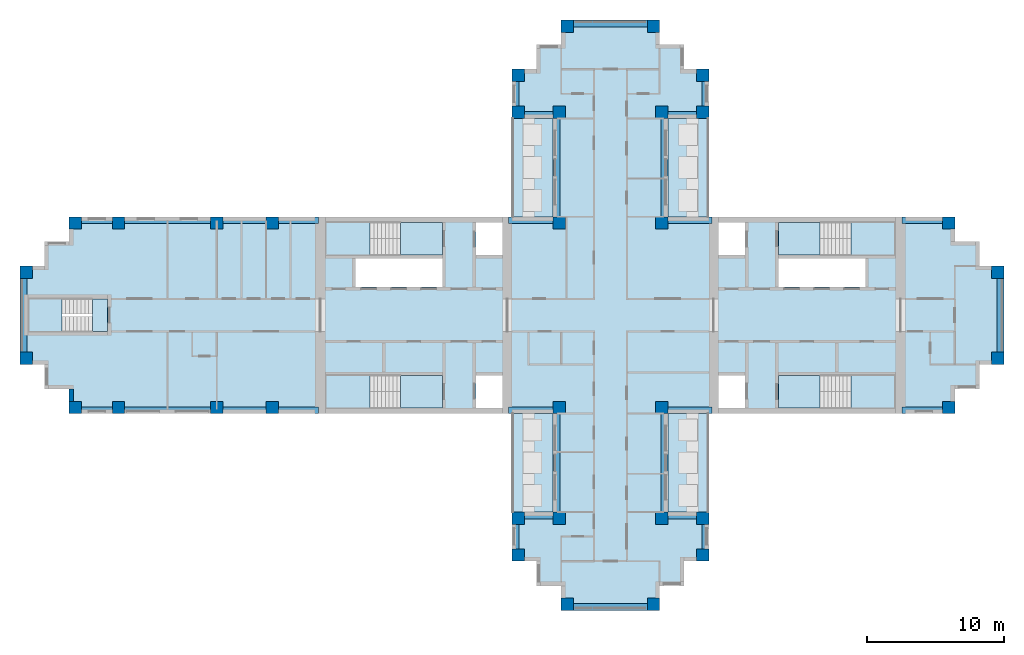
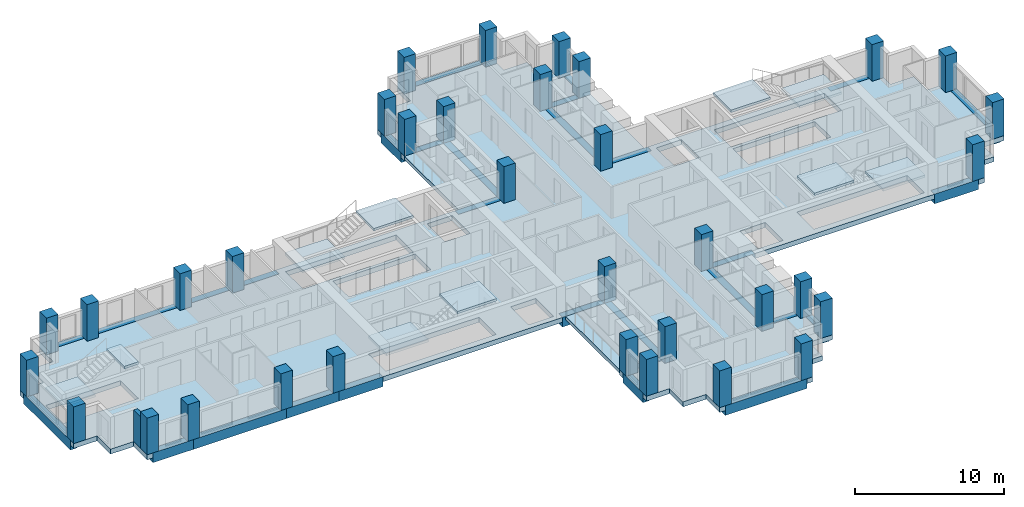
# One storey, part 1 of 11: 34 columns, 30 beams, 15 slabs, 1 wall, 5 elements without a shape of their own.
"""IFC4 building model written with IfcOpenShell, lengths in metres."""

from ifc_helpers import new_model, si_unit, direction, frame, frame_2d, origin, origin_2d, place, context, subcontext, project, spatial, polyline, rectangle, outline, extrude, material, layer, layer_set, material_profile, profile_set, type_object, element, aggregate, save


model = new_model("IFC4")

# Units and contexts
model_context = context("Model", 3, precision=1e-05, world=origin(), true_north=direction((0.0, 1.0)))
body_context = subcontext(model_context, "Body", "Model", "MODEL_VIEW")
ifc_project = project(units=[si_unit("LENGTHUNIT", "METRE"), si_unit("AREAUNIT", "SQUARE_METRE"), si_unit("VOLUMEUNIT", "CUBIC_METRE"), si_unit("PLANEANGLEUNIT", "RADIAN"), si_unit("MASSUNIT", "GRAM", prefix="KILO")], contexts=[model_context])

# Site, building, storey
site_placement = place(None, origin())
site = spatial("IfcSite", under=ifc_project, at=site_placement, CompositionType="ELEMENT")
building_placement = place(site_placement, origin())
building = spatial("IfcBuilding", under=site, at=building_placement, Name="Fustian Cross Tower", CompositionType="ELEMENT")
storey_placement = place(building_placement, frame((0.0, 0.0, 176.699951171875)))
storey = spatial("IfcBuildingStorey", under=building, at=storey_placement, Name="L55", CompositionType="ELEMENT", Elevation=176.699951171875)

# Columns
ifc_material_1 = material(Name="Concrete C40/50", Category="concrete")
ifc_material_profile_1 = material_profile(ifc_material_1, rectangle(XDim=0.89990234375, YDim=0.89990234375, at=origin_2d()), Name="RC 900x900")
ifc_profile_set_1 = profile_set([ifc_material_profile_1], Name="Concrete C40/50")
column_type = type_object("IfcColumnType", Name="COLUMN RC 900x900 C40/50", PredefinedType="COLUMN", material=ifc_profile_set_1)
for number, where, z_axis, x_axis, name in (
    (1, (-42.75, -3.14990234375, 0.0), (0.0, 0.0, 1.0), (1.0, 0.0, 0.0), "COLUMN 001"),
    (2, (-42.75, 3.14990234375, 0.0), (0.0, 0.0, 1.0), (1.0, 0.0, 0.0), "COLUMN 002"),
    (3, (-39.14990234375, -6.75, 0.0), (0.0, 0.0, 1.0), (1.0, 0.0, 0.0), "COLUMN 003"),
    (4, (-39.14990234375, 6.75, 0.0), (0.0, 0.0, 1.0), (1.0, 0.0, 0.0), "COLUMN 004"),
    (5, (-36.0, -6.75, 0.0), (0.0, 0.0, 1.0), (1.0, 0.0, 0.0), "COLUMN 005"),
    (6, (-36.0, 6.75, 0.0), (0.0, 0.0, 1.0), (1.0, 0.0, 0.0), "COLUMN 006"),
    (7, (-28.800048828125, -6.75, 0.0), (0.0, 0.0, 1.0), (1.0, 0.0, 0.0), "COLUMN 007"),
    (8, (-28.800048828125, 6.75, 0.0), (0.0, 0.0, 1.0), (1.0, 0.0, 0.0), "COLUMN 010"),
    (9, (-24.75, -6.75, 0.0), (0.0, 0.0, 1.0), (1.0, 0.0, 0.0), "COLUMN 011"),
    (10, (-24.75, 6.75, 0.0), (0.0, 0.0, 1.0), (1.0, 0.0, 0.0), "COLUMN 012"),
    (11, (-6.75, -17.550048828125, 0.0), (0.0, 0.0, 1.0), (1.0, 0.0, 0.0), "COLUMN 017"),
    (12, (-6.75, -14.85009765625, 0.0), (0.0, 0.0, 1.0), (1.0, 0.0, 0.0), "COLUMN 018"),
    (13, (-6.75, 14.85009765625, 0.0), (0.0, 0.0, 1.0), (1.0, 0.0, 0.0), "COLUMN 019"),
    (14, (-6.75, 17.550048828125, 0.0), (0.0, 0.0, 1.0), (1.0, 0.0, 0.0), "COLUMN 020"),
    (15, (-3.75, -14.85009765625, 0.0), (0.0, 0.0, 1.0), (1.0, 0.0, 0.0), "COLUMN 025"),
    (16, (-3.75, -6.75, 0.0), (0.0, 0.0, 1.0), (1.0, 0.0, 0.0), "COLUMN 026"),
    (17, (-3.75, 6.75, 0.0), (0.0, 0.0, 1.0), (1.0, 0.0, 0.0), "COLUMN 027"),
    (18, (-3.75, 14.85009765625, 0.0), (0.0, 0.0, 1.0), (1.0, 0.0, 0.0), "COLUMN 028"),
    (19, (-3.14990234375, -21.14990234375, 0.0), (0.0, 0.0, 1.0), (1.0, 0.0, 0.0), "COLUMN 030"),
    (20, (-3.14990234375, 21.14990234375, 0.0), (0.0, 0.0, 1.0), (1.0, 0.0, 0.0), "COLUMN 031"),
    (21, (3.14990234375, -21.14990234375, 0.0), (0.0, 0.0, 1.0), (1.0, 0.0, 0.0), "COLUMN 034"),
    (22, (3.14990234375, 21.14990234375, 0.0), (0.0, 0.0, 1.0), (1.0, 0.0, 0.0), "COLUMN 035"),
    (23, (3.75, -14.85009765625, 0.0), (0.0, 0.0, 1.0), (1.0, 0.0, 0.0), "COLUMN 037"),
    (24, (3.75, -6.75, 0.0), (0.0, 0.0, 1.0), (1.0, 0.0, 0.0), "COLUMN 038"),
    (25, (3.75, 6.75, 0.0), (0.0, 0.0, 1.0), (1.0, 0.0, 0.0), "COLUMN 039"),
    (26, (3.75, 14.85009765625, 0.0), (0.0, 0.0, 1.0), (1.0, 0.0, 0.0), "COLUMN 040"),
    (27, (6.75, -17.550048828125, 0.0), (0.0, 0.0, 1.0), (1.0, 0.0, 0.0), "COLUMN 045"),
    (28, (6.75, -14.85009765625, 0.0), (0.0, 0.0, 1.0), (1.0, 0.0, 0.0), "COLUMN 046"),
    (29, (6.75, 14.85009765625, 0.0), (0.0, 0.0, 1.0), (1.0, 0.0, 0.0), "COLUMN 047"),
    (30, (6.75, 17.550048828125, 0.0), (0.0, 0.0, 1.0), (1.0, 0.0, 0.0), "COLUMN 048"),
    (31, (24.75, -6.75, 0.0), (0.0, 0.0, 1.0), (1.0, 0.0, 0.0), "COLUMN 053"),
    (32, (24.75, 6.75, 0.0), (0.0, 0.0, 1.0), (1.0, 0.0, 0.0), "COLUMN 054"),
    (33, (28.35009765625, -3.14990234375, 0.0), (0.0, 0.0, 1.0), (1.0, 0.0, 0.0), "COLUMN 056"),
    (34, (28.35009765625, 3.14990234375, 0.0), (0.0, 0.0, 1.0), (1.0, 0.0, 0.0), "COLUMN 057"),
):
    element("IfcColumn", number, at=place(storey_placement, frame(where, z_axis=z_axis, x_axis=x_axis)), inside=storey, type_object=column_type, Name=name, PredefinedType="COLUMN", context=body_context, shape_type="SweptSolid", body=[
        extrude(rectangle(XDim=0.89990234375, YDim=0.89990234375, at=origin_2d()), origin(), (0.0, 0.0, 1.0), 3.0),
    ])

# Beams
ifc_material_2 = material(Name="Concrete C50/60", Category="concrete")
ifc_material_profile_2 = material_profile(ifc_material_2, rectangle(XDim=0.5, YDim=0.800048828125, at=origin_2d()), Name="RC 500x800")
ifc_profile_set_2 = profile_set([ifc_material_profile_2], Name="Concrete C50/60")
beam_type = type_object("IfcBeamType", Name="EDGE BEAM RC 500x800 C50/60", PredefinedType="SPANDREL", material=ifc_profile_set_2)
beam_1_placement = place(storey_placement, frame((21.35009765625, -6.949951171875, -0.39990234375), z_axis=(1.0, 0.0, 0.0), x_axis=(0.0, 1.0, 0.0)))
element("IfcBeam", 35, at=beam_1_placement, inside=storey, type_object=beam_type, Name="EDGE BEAM L55-01", PredefinedType="SPANDREL", context=body_context, shape_type="SweptSolid", body=[
    extrude(rectangle(XDim=0.5, YDim=0.800048828125, at=origin_2d()), origin(), (0.0, 0.0, 1.0), 3.39990234375),
])
beam_2_placement = place(storey_placement, frame((28.550048828125, -3.14990234375, -0.39990234375), z_axis=(0.0, 1.0, 0.0), x_axis=(-1.0, 0.0, 0.0)))
element("IfcBeam", 36, at=beam_2_placement, inside=storey, type_object=beam_type, Name="EDGE BEAM L55-02", PredefinedType="SPANDREL", context=body_context, shape_type="SweptSolid", body=[
    extrude(rectangle(XDim=0.5, YDim=0.800048828125, at=origin_2d()), origin(), (0.0, 0.0, 1.0), 6.2998046875),
])
beam_3_placement = place(storey_placement, frame((24.75, 6.949951171875, -0.39990234375), z_axis=(-1.0, 0.0, 0.0), x_axis=(0.0, -1.0, 0.0)))
element("IfcBeam", 37, at=beam_3_placement, inside=storey, type_object=beam_type, Name="EDGE BEAM L55-03", PredefinedType="SPANDREL", context=body_context, shape_type="SweptSolid", body=[
    extrude(rectangle(XDim=0.5, YDim=0.800048828125, at=origin_2d()), origin(), (0.0, 0.0, 1.0), 3.39990234375),
])
beam_4_placement = place(storey_placement, frame((7.449951171875, 6.949951171875, -0.39990234375), z_axis=(-1.0, 0.0, 0.0), x_axis=(0.0, -1.0, 0.0)))
element("IfcBeam", 38, at=beam_4_placement, inside=storey, type_object=beam_type, Name="EDGE BEAM L55-04", PredefinedType="SPANDREL", context=body_context, shape_type="SweptSolid", body=[
    extrude(rectangle(XDim=0.5, YDim=0.800048828125, at=origin_2d()), origin(), (0.0, 0.0, 1.0), 3.699951171875),
])
beam_5_placement = place(storey_placement, frame((3.949951171875, 6.75, -0.39990234375), z_axis=(0.0, 1.0, 0.0), x_axis=(-1.0, 0.0, 0.0)))
element("IfcBeam", 39, at=beam_5_placement, inside=storey, type_object=beam_type, Name="EDGE BEAM L55-05", PredefinedType="SPANDREL", context=body_context, shape_type="SweptSolid", body=[
    extrude(rectangle(XDim=0.5, YDim=0.800048828125, at=origin_2d()), origin(), (0.0, 0.0, 1.0), 8.10009765625),
])
beam_6_placement = place(storey_placement, frame((3.75, 14.64990234375, -0.39990234375), z_axis=(1.0, 0.0, 0.0), x_axis=(0.0, 1.0, 0.0)))
element("IfcBeam", 40, at=beam_6_placement, inside=storey, type_object=beam_type, Name="EDGE BEAM L55-06", PredefinedType="SPANDREL", context=body_context, shape_type="SweptSolid", body=[
    extrude(rectangle(XDim=0.5, YDim=0.800048828125, at=origin_2d()), origin(), (0.0, 0.0, 1.0), 3.0),
])
beam_7_placement = place(storey_placement, frame((6.949951171875, 14.85009765625, -0.39990234375), z_axis=(0.0, 1.0, 0.0), x_axis=(-1.0, 0.0, 0.0)))
element("IfcBeam", 41, at=beam_7_placement, inside=storey, type_object=beam_type, Name="EDGE BEAM L55-07", PredefinedType="SPANDREL", context=body_context, shape_type="SweptSolid", body=[
    extrude(rectangle(XDim=0.5, YDim=0.800048828125, at=origin_2d()), origin(), (0.0, 0.0, 1.0), 2.699951171875),
])
beam_8_placement = place(storey_placement, frame((3.14990234375, 21.35009765625, -0.39990234375), z_axis=(-1.0, 0.0, 0.0), x_axis=(0.0, -1.0, 0.0)))
element("IfcBeam", 42, at=beam_8_placement, inside=storey, type_object=beam_type, Name="EDGE BEAM L55-08", PredefinedType="SPANDREL", context=body_context, shape_type="SweptSolid", body=[
    extrude(rectangle(XDim=0.5, YDim=0.800048828125, at=origin_2d()), origin(), (0.0, 0.0, 1.0), 6.2998046875),
])
beam_9_placement = place(storey_placement, frame((-6.949951171875, 17.550048828125, -0.39990234375), z_axis=(0.0, -1.0, 0.0), x_axis=(1.0, 0.0, 0.0)))
element("IfcBeam", 43, at=beam_9_placement, inside=storey, type_object=beam_type, Name="EDGE BEAM L55-09", PredefinedType="SPANDREL", context=body_context, shape_type="SweptSolid", body=[
    extrude(rectangle(XDim=0.5, YDim=0.800048828125, at=origin_2d()), origin(), (0.0, 0.0, 1.0), 2.699951171875),
])
beam_10_placement = place(storey_placement, frame((-6.75, 14.64990234375, -0.39990234375), z_axis=(1.0, 0.0, 0.0), x_axis=(0.0, 1.0, 0.0)))
element("IfcBeam", 44, at=beam_10_placement, inside=storey, type_object=beam_type, Name="EDGE BEAM L55-10", PredefinedType="SPANDREL", context=body_context, shape_type="SweptSolid", body=[
    extrude(rectangle(XDim=0.5, YDim=0.800048828125, at=origin_2d()), origin(), (0.0, 0.0, 1.0), 3.0),
])
beam_11_placement = place(storey_placement, frame((-3.949951171875, 14.85009765625, -0.39990234375), z_axis=(0.0, -1.0, 0.0), x_axis=(1.0, 0.0, 0.0)))
element("IfcBeam", 45, at=beam_11_placement, inside=storey, type_object=beam_type, Name="EDGE BEAM L55-11", PredefinedType="SPANDREL", context=body_context, shape_type="SweptSolid", body=[
    extrude(rectangle(XDim=0.5, YDim=0.800048828125, at=origin_2d()), origin(), (0.0, 0.0, 1.0), 8.10009765625),
])
beam_12_placement = place(storey_placement, frame((-3.75, 6.949951171875, -0.39990234375), z_axis=(-1.0, 0.0, 0.0), x_axis=(0.0, -1.0, 0.0)))
element("IfcBeam", 46, at=beam_12_placement, inside=storey, type_object=beam_type, Name="EDGE BEAM L55-12", PredefinedType="SPANDREL", context=body_context, shape_type="SweptSolid", body=[
    extrude(rectangle(XDim=0.5, YDim=0.800048828125, at=origin_2d()), origin(), (0.0, 0.0, 1.0), 3.699951171875),
])
beam_13_placement = place(storey_placement, frame((-21.35009765625, 6.949951171875, -0.39990234375), z_axis=(-1.0, 0.0, 0.0), x_axis=(0.0, -1.0, 0.0)))
element("IfcBeam", 47, at=beam_13_placement, inside=storey, type_object=beam_type, Name="EDGE BEAM L55-13", PredefinedType="SPANDREL", context=body_context, shape_type="SweptSolid", body=[
    extrude(rectangle(XDim=0.5, YDim=0.800048828125, at=origin_2d()), origin(), (0.0, 0.0, 1.0), 3.39990234375),
])
beam_14_placement = place(storey_placement, frame((-24.75, 6.949951171875, -0.39990234375), z_axis=(-1.0, 0.0, 0.0), x_axis=(0.0, -1.0, 0.0)))
element("IfcBeam", 48, at=beam_14_placement, inside=storey, type_object=beam_type, Name="EDGE BEAM L55-14", PredefinedType="SPANDREL", context=body_context, shape_type="SweptSolid", body=[
    extrude(rectangle(XDim=0.5, YDim=0.800048828125, at=origin_2d()), origin(), (0.0, 0.0, 1.0), 4.050048828125),
])
beam_15_placement = place(storey_placement, frame((-28.800048828125, 6.949951171875, -0.39990234375), z_axis=(-1.0, 0.0, 0.0), x_axis=(0.0, -1.0, 0.0)))
element("IfcBeam", 49, at=beam_15_placement, inside=storey, type_object=beam_type, Name="EDGE BEAM L55-15", PredefinedType="SPANDREL", context=body_context, shape_type="SweptSolid", body=[
    extrude(rectangle(XDim=0.5, YDim=0.800048828125, at=origin_2d()), origin(), (0.0, 0.0, 1.0), 7.199951171875),
])
beam_16_placement = place(storey_placement, frame((-36.0, 6.949951171875, -0.39990234375), z_axis=(-1.0, 0.0, 0.0), x_axis=(0.0, -1.0, 0.0)))
element("IfcBeam", 50, at=beam_16_placement, inside=storey, type_object=beam_type, Name="EDGE BEAM L55-16", PredefinedType="SPANDREL", context=body_context, shape_type="SweptSolid", body=[
    extrude(rectangle(XDim=0.5, YDim=0.800048828125, at=origin_2d()), origin(), (0.0, 0.0, 1.0), 3.14990234375),
])
beam_17_placement = place(storey_placement, frame((-42.949951171875, 3.14990234375, -0.39990234375), z_axis=(0.0, -1.0, 0.0), x_axis=(1.0, 0.0, 0.0)))
element("IfcBeam", 51, at=beam_17_placement, inside=storey, type_object=beam_type, Name="EDGE BEAM L55-17", PredefinedType="SPANDREL", context=body_context, shape_type="SweptSolid", body=[
    extrude(rectangle(XDim=0.5, YDim=0.800048828125, at=origin_2d()), origin(), (0.0, 0.0, 1.0), 6.2998046875),
])
beam_18_placement = place(storey_placement, frame((-39.14990234375, -6.949951171875, -0.39990234375), z_axis=(1.0, 0.0, 0.0), x_axis=(0.0, 1.0, 0.0)))
element("IfcBeam", 52, at=beam_18_placement, inside=storey, type_object=beam_type, Name="EDGE BEAM L55-18", PredefinedType="SPANDREL", context=body_context, shape_type="SweptSolid", body=[
    extrude(rectangle(XDim=0.5, YDim=0.800048828125, at=origin_2d()), origin(), (0.0, 0.0, 1.0), 3.14990234375),
])
beam_19_placement = place(storey_placement, frame((-36.0, -6.949951171875, -0.39990234375), z_axis=(1.0, 0.0, 0.0), x_axis=(0.0, 1.0, 0.0)))
element("IfcBeam", 53, at=beam_19_placement, inside=storey, type_object=beam_type, Name="EDGE BEAM L55-19", PredefinedType="SPANDREL", context=body_context, shape_type="SweptSolid", body=[
    extrude(rectangle(XDim=0.5, YDim=0.800048828125, at=origin_2d()), origin(), (0.0, 0.0, 1.0), 7.199951171875),
])
beam_20_placement = place(storey_placement, frame((-28.800048828125, -6.949951171875, -0.39990234375), z_axis=(1.0, 0.0, 0.0), x_axis=(0.0, 1.0, 0.0)))
element("IfcBeam", 54, at=beam_20_placement, inside=storey, type_object=beam_type, Name="EDGE BEAM L55-20", PredefinedType="SPANDREL", context=body_context, shape_type="SweptSolid", body=[
    extrude(rectangle(XDim=0.5, YDim=0.800048828125, at=origin_2d()), origin(), (0.0, 0.0, 1.0), 4.050048828125),
])
beam_21_placement = place(storey_placement, frame((-24.75, -6.949951171875, -0.39990234375), z_axis=(1.0, 0.0, 0.0), x_axis=(0.0, 1.0, 0.0)))
element("IfcBeam", 55, at=beam_21_placement, inside=storey, type_object=beam_type, Name="EDGE BEAM L55-21", PredefinedType="SPANDREL", context=body_context, shape_type="SweptSolid", body=[
    extrude(rectangle(XDim=0.5, YDim=0.800048828125, at=origin_2d()), origin(), (0.0, 0.0, 1.0), 3.39990234375),
])
beam_22_placement = place(storey_placement, frame((-7.449951171875, -6.949951171875, -0.39990234375), z_axis=(1.0, 0.0, 0.0), x_axis=(0.0, 1.0, 0.0)))
element("IfcBeam", 56, at=beam_22_placement, inside=storey, type_object=beam_type, Name="EDGE BEAM L55-22", PredefinedType="SPANDREL", context=body_context, shape_type="SweptSolid", body=[
    extrude(rectangle(XDim=0.5, YDim=0.800048828125, at=origin_2d()), origin(), (0.0, 0.0, 1.0), 3.699951171875),
])
beam_23_placement = place(storey_placement, frame((-3.949951171875, -6.75, -0.39990234375), z_axis=(0.0, -1.0, 0.0), x_axis=(1.0, 0.0, 0.0)))
element("IfcBeam", 57, at=beam_23_placement, inside=storey, type_object=beam_type, Name="EDGE BEAM L55-23", PredefinedType="SPANDREL", context=body_context, shape_type="SweptSolid", body=[
    extrude(rectangle(XDim=0.5, YDim=0.800048828125, at=origin_2d()), origin(), (0.0, 0.0, 1.0), 8.10009765625),
])
beam_24_placement = place(storey_placement, frame((-3.75, -14.64990234375, -0.39990234375), z_axis=(-1.0, 0.0, 0.0), x_axis=(0.0, -1.0, 0.0)))
element("IfcBeam", 58, at=beam_24_placement, inside=storey, type_object=beam_type, Name="EDGE BEAM L55-24", PredefinedType="SPANDREL", context=body_context, shape_type="SweptSolid", body=[
    extrude(rectangle(XDim=0.5, YDim=0.800048828125, at=origin_2d()), origin(), (0.0, 0.0, 1.0), 3.0),
])
beam_25_placement = place(storey_placement, frame((-6.949951171875, -14.85009765625, -0.39990234375), z_axis=(0.0, -1.0, 0.0), x_axis=(1.0, 0.0, 0.0)))
element("IfcBeam", 59, at=beam_25_placement, inside=storey, type_object=beam_type, Name="EDGE BEAM L55-25", PredefinedType="SPANDREL", context=body_context, shape_type="SweptSolid", body=[
    extrude(rectangle(XDim=0.5, YDim=0.800048828125, at=origin_2d()), origin(), (0.0, 0.0, 1.0), 2.699951171875),
])
beam_26_placement = place(storey_placement, frame((-3.14990234375, -21.35009765625, -0.39990234375), z_axis=(1.0, 0.0, 0.0), x_axis=(0.0, 1.0, 0.0)))
element("IfcBeam", 60, at=beam_26_placement, inside=storey, type_object=beam_type, Name="EDGE BEAM L55-26", PredefinedType="SPANDREL", context=body_context, shape_type="SweptSolid", body=[
    extrude(rectangle(XDim=0.5, YDim=0.800048828125, at=origin_2d()), origin(), (0.0, 0.0, 1.0), 6.2998046875),
])
beam_27_placement = place(storey_placement, frame((6.949951171875, -17.550048828125, -0.39990234375), z_axis=(0.0, 1.0, 0.0), x_axis=(-1.0, 0.0, 0.0)))
element("IfcBeam", 61, at=beam_27_placement, inside=storey, type_object=beam_type, Name="EDGE BEAM L55-27", PredefinedType="SPANDREL", context=body_context, shape_type="SweptSolid", body=[
    extrude(rectangle(XDim=0.5, YDim=0.800048828125, at=origin_2d()), origin(), (0.0, 0.0, 1.0), 2.699951171875),
])
beam_28_placement = place(storey_placement, frame((6.75, -14.64990234375, -0.39990234375), z_axis=(-1.0, 0.0, 0.0), x_axis=(0.0, -1.0, 0.0)))
element("IfcBeam", 62, at=beam_28_placement, inside=storey, type_object=beam_type, Name="EDGE BEAM L55-28", PredefinedType="SPANDREL", context=body_context, shape_type="SweptSolid", body=[
    extrude(rectangle(XDim=0.5, YDim=0.800048828125, at=origin_2d()), origin(), (0.0, 0.0, 1.0), 3.0),
])
beam_29_placement = place(storey_placement, frame((3.949951171875, -14.85009765625, -0.39990234375), z_axis=(0.0, 1.0, 0.0), x_axis=(-1.0, 0.0, 0.0)))
element("IfcBeam", 63, at=beam_29_placement, inside=storey, type_object=beam_type, Name="EDGE BEAM L55-29", PredefinedType="SPANDREL", context=body_context, shape_type="SweptSolid", body=[
    extrude(rectangle(XDim=0.5, YDim=0.800048828125, at=origin_2d()), origin(), (0.0, 0.0, 1.0), 8.10009765625),
])
beam_30_placement = place(storey_placement, frame((3.75, -6.949951171875, -0.39990234375), z_axis=(1.0, 0.0, 0.0), x_axis=(0.0, 1.0, 0.0)))
element("IfcBeam", 64, at=beam_30_placement, inside=storey, type_object=beam_type, Name="EDGE BEAM L55-30", PredefinedType="SPANDREL", context=body_context, shape_type="SweptSolid", body=[
    extrude(rectangle(XDim=0.5, YDim=0.800048828125, at=origin_2d()), origin(), (0.0, 0.0, 1.0), 3.699951171875),
])

# Slabs
ifc_material_3 = material(Name="Concrete C40/50", Category="concrete")
ifc_layer_1 = layer(ifc_material_3, 0.300048828125)
ifc_layer_set_1 = layer_set([ifc_layer_1], Name="Concrete C40/50")
slab_type_1 = type_object("IfcSlabType", Name="BS1 BALCONY SLAB 300", PredefinedType="FLOOR", material=ifc_layer_set_1)
slab_1_placement = place(storey_placement, frame((0.0, 0.0, -0.300048828125)))
element("IfcSlab", 65, at=slab_1_placement, inside=storey, type_object=slab_type_1, Name="Balcony slab", PredefinedType="FLOOR", context=body_context, shape_type="SweptSolid", body=[
    extrude(outline(polyline([(4.199951171875, 7.199951171875), (7.199951171875, 7.199951171875), (7.199951171875, 14.39990234375), (4.199951171875, 14.39990234375), (4.199951171875, 7.199951171875)])), origin(), (0.0, 0.0, 1.0), 0.300048828125),
])
slab_2_placement = place(storey_placement, frame((0.0, 0.0, -0.300048828125)))
element("IfcSlab", 66, at=slab_2_placement, inside=storey, type_object=slab_type_1, Name="Balcony slab", PredefinedType="FLOOR", context=body_context, shape_type="SweptSolid", body=[
    extrude(outline(polyline([(-7.199951171875, 7.199951171875), (-4.199951171875, 7.199951171875), (-4.199951171875, 14.39990234375), (-7.199951171875, 14.39990234375), (-7.199951171875, 7.199951171875)])), origin(), (0.0, 0.0, 1.0), 0.300048828125),
])
slab_3_placement = place(storey_placement, frame((0.0, 0.0, -0.300048828125)))
element("IfcSlab", 67, at=slab_3_placement, inside=storey, type_object=slab_type_1, Name="Balcony slab", PredefinedType="FLOOR", context=body_context, shape_type="SweptSolid", body=[
    extrude(outline(polyline([(4.199951171875, -14.39990234375), (7.199951171875, -14.39990234375), (7.199951171875, -7.199951171875), (4.199951171875, -7.199951171875), (4.199951171875, -14.39990234375)])), origin(), (0.0, 0.0, 1.0), 0.300048828125),
])
slab_4_placement = place(storey_placement, frame((0.0, 0.0, -0.300048828125)))
element("IfcSlab", 68, at=slab_4_placement, inside=storey, type_object=slab_type_1, Name="Balcony slab", PredefinedType="FLOOR", context=body_context, shape_type="SweptSolid", body=[
    extrude(outline(polyline([(-7.199951171875, -14.39990234375), (-4.199951171875, -14.39990234375), (-4.199951171875, -7.199951171875), (-7.199951171875, -7.199951171875), (-7.199951171875, -14.39990234375)])), origin(), (0.0, 0.0, 1.0), 0.300048828125),
])
ifc_material_4 = material(Name="Concrete C40/50", Category="concrete")
ifc_layer_2 = layer(ifc_material_4, 0.39990234375)
ifc_layer_set_2 = layer_set([ifc_layer_2], Name="Concrete C40/50")
slab_type_2 = type_object("IfcSlabType", Name="FLAT SLAB 400", PredefinedType="FLOOR", material=ifc_layer_set_2)
slab_5_placement = place(storey_placement, frame((0.0, 0.0, -0.39990234375)))
element("IfcSlab", 69, at=slab_5_placement, inside=storey, type_object=slab_type_2, Name="FLOOR SLAB L55-1", PredefinedType="FLOOR", context=body_context, shape_type="SweptSolid", body=[
    extrude(outline(polyline([(-5.39990234375, -19.800048828125), (-5.39990234375, -18.0), (-7.199951171875, -18.0), (-7.199951171875, -14.39990234375), (-4.199951171875, -14.39990234375), (-4.199951171875, -7.199951171875), (-39.60009765625, -7.199951171875), (-39.60009765625, -5.39990234375), (-41.39990234375, -5.39990234375), (-41.39990234375, -3.60009765625), (-43.199951171875, -3.60009765625), (-43.199951171875, 3.60009765625), (-41.39990234375, 3.60009765625), (-41.39990234375, 5.39990234375), (-39.60009765625, 5.39990234375), (-39.60009765625, 7.199951171875), (-4.199951171875, 7.199951171875), (-4.199951171875, 14.39990234375), (-7.199951171875, 14.39990234375), (-7.199951171875, 18.0), (-5.39990234375, 18.0), (-5.39990234375, 19.800048828125), (-3.60009765625, 19.800048828125), (-3.60009765625, 21.60009765625), (3.60009765625, 21.60009765625), (3.60009765625, 19.800048828125), (5.39990234375, 19.800048828125), (5.39990234375, 18.0), (7.199951171875, 18.0), (7.199951171875, 14.39990234375), (4.199951171875, 14.39990234375), (4.199951171875, 7.199951171875), (25.199951171875, 7.199951171875), (25.199951171875, 5.39990234375), (27.0, 5.39990234375), (27.0, 3.60009765625), (28.800048828125, 3.60009765625), (28.800048828125, -3.60009765625), (27.0, -3.60009765625), (27.0, -5.39990234375), (25.199951171875, -5.39990234375), (25.199951171875, -7.199951171875), (4.199951171875, -7.199951171875), (4.199951171875, -14.39990234375), (7.199951171875, -14.39990234375), (7.199951171875, -18.0), (5.39990234375, -18.0), (5.39990234375, -19.800048828125), (3.60009765625, -19.800048828125), (3.60009765625, -21.60009765625), (-3.60009765625, -21.60009765625), (-3.60009765625, -19.800048828125), (-5.39990234375, -19.800048828125)]), holes=[polyline([(7.89990234375, 4.39990234375), (9.85009765625, 4.39990234375), (9.85009765625, 6.800048828125), (7.89990234375, 6.800048828125), (7.89990234375, 4.39990234375)]), polyline([(7.89990234375, -4.39990234375), (7.89990234375, -6.800048828125), (9.85009765625, -6.800048828125), (9.85009765625, -4.39990234375), (7.89990234375, -4.39990234375)]), polyline([(-7.89990234375, 6.800048828125), (-9.85009765625, 6.800048828125), (-9.85009765625, 4.39990234375), (-7.89990234375, 4.39990234375), (-7.89990234375, 6.800048828125)]), polyline([(-7.89990234375, -6.800048828125), (-7.89990234375, -4.39990234375), (-9.85009765625, -4.39990234375), (-9.85009765625, -6.800048828125), (-7.89990234375, -6.800048828125)]), polyline([(12.300048828125, 2.050048828125), (18.64990234375, 2.050048828125), (18.64990234375, 4.14990234375), (12.300048828125, 4.14990234375), (12.300048828125, 2.050048828125)]), polyline([(-18.64990234375, 4.14990234375), (-18.64990234375, 2.050048828125), (-12.300048828125, 2.050048828125), (-12.300048828125, 4.14990234375), (-18.64990234375, 4.14990234375)]), polyline([(20.85009765625, 6.699951171875), (12.300048828125, 6.699951171875), (12.300048828125, 4.39990234375), (20.85009765625, 4.39990234375), (20.85009765625, 6.699951171875)]), polyline([(20.85009765625, -6.699951171875), (20.85009765625, -4.39990234375), (12.300048828125, -4.39990234375), (12.300048828125, -6.699951171875), (20.85009765625, -6.699951171875)]), polyline([(-20.85009765625, 4.39990234375), (-12.300048828125, 4.39990234375), (-12.300048828125, 6.699951171875), (-20.85009765625, 6.699951171875), (-20.85009765625, 4.39990234375)]), polyline([(-20.85009765625, -4.39990234375), (-20.85009765625, -6.699951171875), (-12.300048828125, -6.699951171875), (-12.300048828125, -4.39990234375), (-20.85009765625, -4.39990234375)]), polyline([(-36.800048828125, 1.199951171875), (-42.60009765625, 1.199951171875), (-42.60009765625, -1.199951171875), (-36.800048828125, -1.199951171875), (-36.800048828125, 1.199951171875)])]), origin(), (0.0, 0.0, 1.0), 0.39990234375),
])

# Stair, slabs
ifc_material_5 = material(Name="Concrete C50/60", Category="concrete")
stair_type_1 = type_object("IfcStairType", Name="STAIR 1200 HALF TURN", PredefinedType="HALF_TURN_STAIR", material=ifc_material_5)
stair_1_placement = place(storey_placement, origin())
stair_1 = element("IfcStair", 70, at=stair_1_placement, inside=storey, type_object=stair_type_1, Name="Stair ST1", PredefinedType="HALF_TURN_STAIR")
ifc_material_6 = material(Name="Concrete C50/60", Category="concrete")
ifc_layer_3 = layer(ifc_material_6, 0.199951171875)
ifc_layer_set_3 = layer_set([ifc_layer_3], Name="Concrete C50/60")
slab_type_3 = type_object("IfcSlabType", Name="STAIR LANDING", PredefinedType="LANDING", material=ifc_layer_set_3)
slab_6_placement = place(storey_placement, frame((0.0, 0.0, 1.300048828125)))
slab_6 = element("IfcSlab", 71, at=slab_6_placement, type_object=slab_type_3, Name="ST1 landing 1", PredefinedType="LANDING", context=body_context, shape_type="SweptSolid", body=[
    extrude(outline(polyline([(17.590087890625, 4.39990234375), (20.85009765625, 4.39990234375), (20.85009765625, 6.800048828125), (17.590087890625, 6.800048828125), (17.590087890625, 4.39990234375)])), origin(), (0.0, 0.0, 1.0), 0.199951171875),
])
slab_7_placement = place(storey_placement, frame((0.0, 0.0, 2.800048828125)))
slab_7 = element("IfcSlab", 72, at=slab_7_placement, type_object=slab_type_3, Name="ST1 landing 2", PredefinedType="LANDING", context=body_context, shape_type="SweptSolid", body=[
    extrude(outline(polyline([(12.300048828125, 4.39990234375), (15.35009765625, 4.39990234375), (15.35009765625, 6.800048828125), (12.300048828125, 6.800048828125), (12.300048828125, 4.39990234375)])), origin(), (0.0, 0.0, 1.0), 0.199951171875),
])
aggregate(stair_1, [slab_6, slab_7])

stair_2_placement = place(storey_placement, origin())
stair_2 = element("IfcStair", 73, at=stair_2_placement, inside=storey, type_object=stair_type_1, Name="Stair ST2", PredefinedType="HALF_TURN_STAIR")
slab_8_placement = place(storey_placement, frame((0.0, 0.0, 1.300048828125)))
slab_8 = element("IfcSlab", 74, at=slab_8_placement, type_object=slab_type_3, Name="ST2 landing 1", PredefinedType="LANDING", context=body_context, shape_type="SweptSolid", body=[
    extrude(outline(polyline([(17.590087890625, -4.39990234375), (20.85009765625, -4.39990234375), (20.85009765625, -6.800048828125), (17.590087890625, -6.800048828125), (17.590087890625, -4.39990234375)])), origin(), (0.0, 0.0, 1.0), 0.199951171875),
])
slab_9_placement = place(storey_placement, frame((0.0, 0.0, 2.800048828125)))
slab_9 = element("IfcSlab", 75, at=slab_9_placement, type_object=slab_type_3, Name="ST2 landing 2", PredefinedType="LANDING", context=body_context, shape_type="SweptSolid", body=[
    extrude(outline(polyline([(12.300048828125, -4.39990234375), (15.35009765625, -4.39990234375), (15.35009765625, -6.800048828125), (12.300048828125, -6.800048828125), (12.300048828125, -4.39990234375)])), origin(), (0.0, 0.0, 1.0), 0.199951171875),
])
aggregate(stair_2, [slab_8, slab_9])

stair_3_placement = place(storey_placement, origin())
stair_3 = element("IfcStair", 76, at=stair_3_placement, inside=storey, type_object=stair_type_1, Name="Stair ST3", PredefinedType="HALF_TURN_STAIR")
slab_10_placement = place(storey_placement, frame((0.0, 0.0, 1.300048828125)))
slab_10 = element("IfcSlab", 77, at=slab_10_placement, type_object=slab_type_3, Name="ST3 landing 1", PredefinedType="LANDING", context=body_context, shape_type="SweptSolid", body=[
    extrude(outline(polyline([(-17.590087890625, 4.39990234375), (-20.85009765625, 4.39990234375), (-20.85009765625, 6.800048828125), (-17.590087890625, 6.800048828125), (-17.590087890625, 4.39990234375)])), origin(), (0.0, 0.0, 1.0), 0.199951171875),
])
slab_11_placement = place(storey_placement, frame((0.0, 0.0, 2.800048828125)))
slab_11 = element("IfcSlab", 78, at=slab_11_placement, type_object=slab_type_3, Name="ST3 landing 2", PredefinedType="LANDING", context=body_context, shape_type="SweptSolid", body=[
    extrude(outline(polyline([(-12.300048828125, 4.39990234375), (-15.35009765625, 4.39990234375), (-15.35009765625, 6.800048828125), (-12.300048828125, 6.800048828125), (-12.300048828125, 4.39990234375)])), origin(), (0.0, 0.0, 1.0), 0.199951171875),
])
aggregate(stair_3, [slab_10, slab_11])

stair_4_placement = place(storey_placement, origin())
stair_4 = element("IfcStair", 79, at=stair_4_placement, inside=storey, type_object=stair_type_1, Name="Stair ST4", PredefinedType="HALF_TURN_STAIR")
slab_12_placement = place(storey_placement, frame((0.0, 0.0, 1.300048828125)))
slab_12 = element("IfcSlab", 80, at=slab_12_placement, type_object=slab_type_3, Name="ST4 landing 1", PredefinedType="LANDING", context=body_context, shape_type="SweptSolid", body=[
    extrude(outline(polyline([(-17.590087890625, -4.39990234375), (-20.85009765625, -4.39990234375), (-20.85009765625, -6.800048828125), (-17.590087890625, -6.800048828125), (-17.590087890625, -4.39990234375)])), origin(), (0.0, 0.0, 1.0), 0.199951171875),
])
slab_13_placement = place(storey_placement, frame((0.0, 0.0, 2.800048828125)))
slab_13 = element("IfcSlab", 81, at=slab_13_placement, type_object=slab_type_3, Name="ST4 landing 2", PredefinedType="LANDING", context=body_context, shape_type="SweptSolid", body=[
    extrude(outline(polyline([(-12.300048828125, -4.39990234375), (-15.35009765625, -4.39990234375), (-15.35009765625, -6.800048828125), (-12.300048828125, -6.800048828125), (-12.300048828125, -4.39990234375)])), origin(), (0.0, 0.0, 1.0), 0.199951171875),
])
aggregate(stair_4, [slab_12, slab_13])

ifc_material_7 = material(Name="Concrete C50/60", Category="concrete")
stair_type_2 = type_object("IfcStairType", Name="STAIR 1100 HALF TURN", PredefinedType="HALF_TURN_STAIR", material=ifc_material_7)
stair_5_placement = place(storey_placement, origin())
stair_5 = element("IfcStair", 82, at=stair_5_placement, inside=storey, type_object=stair_type_2, Name="Stair ST9", PredefinedType="HALF_TURN_STAIR")
slab_14_placement = place(storey_placement, frame((0.0, 0.0, 1.300048828125)))
slab_14 = element("IfcSlab", 83, at=slab_14_placement, type_object=slab_type_3, Name="ST9 landing 1", PredefinedType="LANDING", context=body_context, shape_type="SweptSolid", body=[
    extrude(outline(polyline([(-40.139892578125, -1.199951171875), (-42.60009765625, -1.199951171875), (-42.60009765625, 1.199951171875), (-40.139892578125, 1.199951171875), (-40.139892578125, -1.199951171875)])), origin(), (0.0, 0.0, 1.0), 0.199951171875),
])
slab_15_placement = place(storey_placement, frame((0.0, 0.0, 2.800048828125)))
slab_15 = element("IfcSlab", 84, at=slab_15_placement, type_object=slab_type_3, Name="ST9 landing 2", PredefinedType="LANDING", context=body_context, shape_type="SweptSolid", body=[
    extrude(outline(polyline([(-36.800048828125, -1.199951171875), (-37.89990234375, -1.199951171875), (-37.89990234375, 1.199951171875), (-36.800048828125, 1.199951171875), (-36.800048828125, -1.199951171875)])), origin(), (0.0, 0.0, 1.0), 0.199951171875),
])
aggregate(stair_5, [slab_14, slab_15])

# Wall
ifc_material_8 = material(Name="Dark aluminium cladding on insulated backing wall", Category="aluminium")
ifc_layer_4 = layer(ifc_material_8, 0.300048828125)
ifc_layer_set_4 = layer_set([ifc_layer_4], Name="Dark aluminium cladding on insulated backing wall")
wall_type = type_object("IfcWallType", Name="XW1 EXTERNAL WALL 300", PredefinedType="SOLIDWALL", material=ifc_layer_set_4)
wall_placement = place(storey_placement, frame((-39.449951171875, -5.39990234375, 0.0), z_axis=(0.0, 0.0, 1.0), x_axis=(0.0, -1.0, 0.0)))
element("IfcWall", 85, at=wall_placement, inside=storey, type_object=wall_type, Name="External wall", PredefinedType="SOLIDWALL", context=body_context, shape_type="SweptSolid", body=[
    extrude(rectangle(XDim=0.900146484375, YDim=0.300048828125, at=frame_2d((0.4501953125, 0.0))), origin(), (0.0, 0.0, 1.0), 2.60009765625),
])

save(model, "model.ifc")
